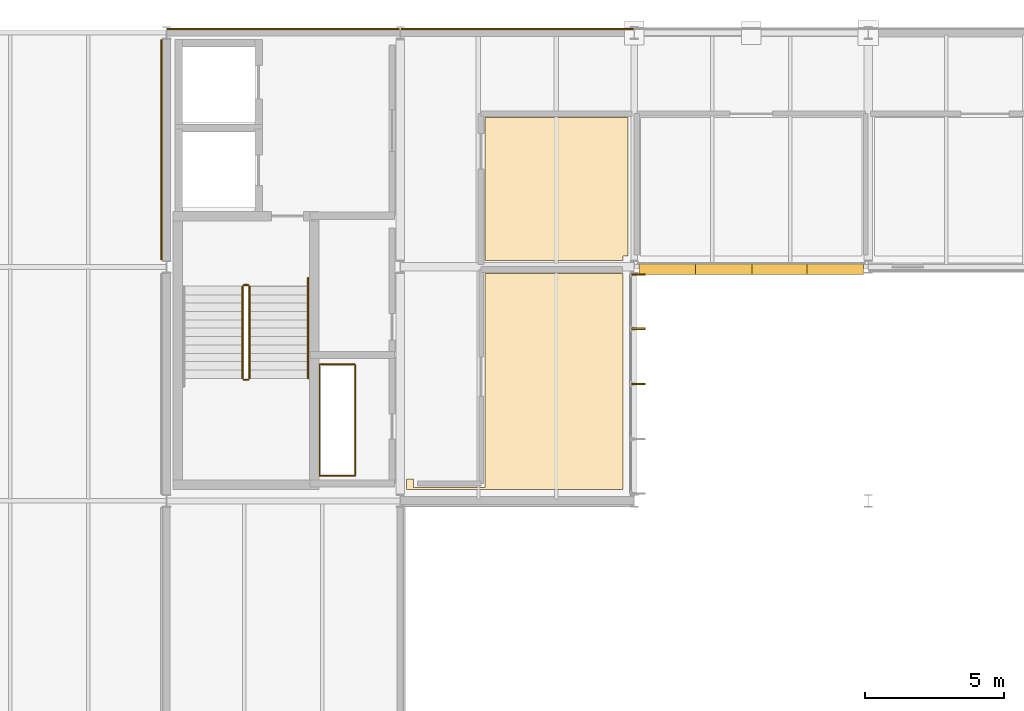
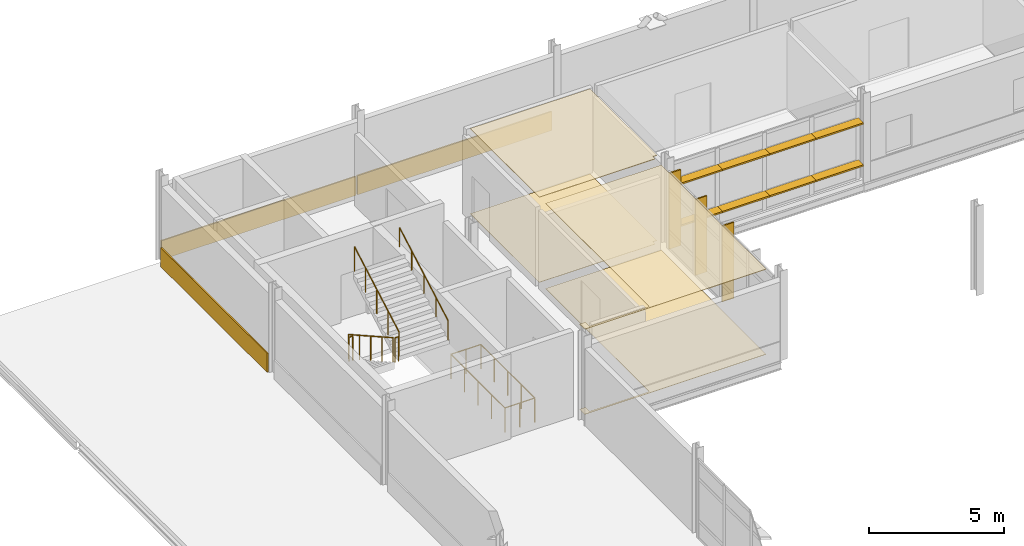
# One storey, part 122 of 131: 11 shading devices, 7 coverings, 6 railings.
"""IFC4 building model written with IfcOpenShell, lengths in metres."""

from ifc_helpers import new_model, si_unit, direction, frame, origin, origin_2d, place, context, subcontext, project, spatial, polyline, rectangle, circle, outline, extrude, material, layer, layer_set, type_object, element, save


model = new_model("IFC4")

# Units and contexts
model_context = context("Model", 3, precision=1e-05, world=origin(), true_north=direction((0.0, 1.0)))
body_context = subcontext(model_context, "Body", "Model", "MODEL_VIEW")
ifc_project = project(units=[si_unit("LENGTHUNIT", "METRE"), si_unit("AREAUNIT", "SQUARE_METRE"), si_unit("VOLUMEUNIT", "CUBIC_METRE"), si_unit("PLANEANGLEUNIT", "RADIAN"), si_unit("MASSUNIT", "GRAM", prefix="KILO")], contexts=[model_context])

# Site, building, storey
site_placement = place(None, origin())
site = spatial("IfcSite", under=ifc_project, at=site_placement, CompositionType="ELEMENT")
building_placement = place(site_placement, origin())
building = spatial("IfcBuilding", under=site, at=building_placement, Name="Mersafa Astral City Hall", CompositionType="ELEMENT")
storey_placement = place(building_placement, frame((0.0, 0.0, 13.949951171875)))
storey = spatial("IfcBuildingStorey", under=building, at=storey_placement, Name="L03", CompositionType="ELEMENT", Elevation=13.949951171875)

# Coverings
ifc_material_1 = material(Name="Cairo Mokattam buff limestone cladding", Category="masonry")
ifc_layer_1 = layer(ifc_material_1, 0.06005859375, Name="Cairo Mokattam buff limestone cladding")
ifc_layer_set_1 = layer_set([ifc_layer_1], Name="Cairo Mokattam buff limestone cladding — ENV-COV-LIMESTONE-60")
covering_type_1 = type_object("IfcCoveringType", Name="ENV-COV-LIMESTONE-60", PredefinedType="CLADDING", material=ifc_layer_set_1)
for number, where, z_axis, x_axis, name in (
    (1, (54.60009765625, 126.14697265625, 0.0), (0.0, 0.0, 1.0), (-1.0, 0.0, 0.0), "L03 Cairo buff limestone rainscreen cladding 248"),
    (2, (46.199951171875, 126.139404296875, 0.0), (0.0, 0.0, 1.0), (-1.0, 0.0, 0.0), "L03 Cairo buff limestone rainscreen cladding 249"),
):
    element("IfcCovering", number, at=place(storey_placement, frame(where, z_axis=z_axis, x_axis=x_axis)), inside=storey, type_object=covering_type_1, Name=name, PredefinedType="CLADDING", context=body_context, shape_type="SweptSolid", body=[
        extrude(rectangle(XDim=8.323974609375, YDim=0.06005859375, at=origin_2d()), origin(), (0.0, 0.0, 1.0), 0.860107421875),
    ])
covering_1_placement = place(storey_placement, frame((41.822998046875, 121.800048828125, 0.0), z_axis=(0.0, 0.0, 1.0), x_axis=(0.0, -1.0, 0.0)))
element("IfcCovering", 3, at=covering_1_placement, inside=storey, type_object=covering_type_1, Name="L03 Cairo buff limestone rainscreen cladding 250", PredefinedType="CLADDING", context=body_context, shape_type="SweptSolid", body=[
    extrude(rectangle(XDim=7.89794921875, YDim=0.06005859375, at=origin_2d()), origin(), (0.0, 0.0, 1.0), 0.860107421875),
])

# Shading devices
ifc_material_2 = material(Name="Anodised bronze aluminium solar fin", Category="aluminium")
shading_device_type_1 = type_object("IfcShadingDeviceType", Name="ENV-SHD-FIN-500A", PredefinedType="USERDEFINED", material=ifc_material_2)
for number, where, z_axis, x_axis, name in (
    (4, (58.945068359375, 113.39990234375, -0.014892578125), (0.0, 0.0, 1.0), (0.0, 1.0, 0.0), "L03 Vertical bronze solar fin 1133"),
    (5, (58.945068359375, 115.381591796875, -0.014892578125), (0.0, 0.0, 1.0), (0.0, 1.0, 0.0), "L03 Vertical bronze solar fin 1134"),
    (6, (58.945068359375, 117.3330078125, -0.014892578125), (0.0, 0.0, 1.0), (0.0, 1.0, 0.0), "L03 Vertical bronze solar fin 1135"),
):
    element("IfcShadingDevice", number, at=place(storey_placement, frame(where, z_axis=z_axis, x_axis=x_axis)), inside=storey, type_object=shading_device_type_1, Name=name, ObjectType="FIN", PredefinedType="USERDEFINED", context=body_context, shape_type="SweptSolid", body=[
        extrude(rectangle(XDim=0.06005859375, YDim=0.5, at=origin_2d()), origin(), (0.0, 0.0, 1.0), 3.43701171875),
    ])
ifc_material_3 = material(Name="Kiln-dried cedar timber brise-soleil blade", Category="wood")
shading_device_type_2 = type_object("IfcShadingDeviceType", Name="ENV-SHD-LOUVRE-380", PredefinedType="JALOUSIE", material=ifc_material_3)
shading_device_1_placement = place(storey_placement, frame((59.986572265625, 117.52001953125, 0.81494140625), z_axis=(0.0, 0.0, 1.0), x_axis=(1.0, 0.0, 0.0)))
element("IfcShadingDevice", 7, at=shading_device_1_placement, inside=storey, type_object=shading_device_type_2, Name="L03 Horizontal cedar brise-soleil louvre 1136", PredefinedType="JALOUSIE", context=body_context, shape_type="SweptSolid", body=[
    extrude(rectangle(XDim=2.029052734375, YDim=0.3798828125, at=origin_2d()), origin(), (0.0, 0.0, 1.0), 0.070068359375),
])
for number, where, z_axis, x_axis, name in (
    (8, (61.990478515625, 117.52001953125, 0.81494140625), (0.0, 0.0, 1.0), (1.0, 0.0, 0.0), "L03 Horizontal cedar brise-soleil louvre 1137"),
    (9, (64.009521484375, 117.52001953125, 0.81494140625), (0.0, 0.0, 1.0), (1.0, 0.0, 0.0), "L03 Horizontal cedar brise-soleil louvre 1138"),
):
    element("IfcShadingDevice", number, at=place(storey_placement, frame(where, z_axis=z_axis, x_axis=x_axis)), inside=storey, type_object=shading_device_type_2, Name=name, PredefinedType="JALOUSIE", context=body_context, shape_type="SweptSolid", body=[
        extrude(rectangle(XDim=2.05908203125, YDim=0.3798828125, at=origin_2d()), origin(), (0.0, 0.0, 1.0), 0.070068359375),
    ])
for number, where, z_axis, x_axis, name in (
    (10, (66.013427734375, 117.52001953125, 0.81494140625), (0.0, 0.0, 1.0), (1.0, 0.0, 0.0), "L03 Horizontal cedar brise-soleil louvre 1139"),
    (11, (59.986572265625, 117.52001953125, 2.71484375), (0.0, 0.0, 1.0), (1.0, 0.0, 0.0), "L03 Horizontal cedar brise-soleil louvre 1140"),
):
    element("IfcShadingDevice", number, at=place(storey_placement, frame(where, z_axis=z_axis, x_axis=x_axis)), inside=storey, type_object=shading_device_type_2, Name=name, PredefinedType="JALOUSIE", context=body_context, shape_type="SweptSolid", body=[
        extrude(rectangle(XDim=2.029052734375, YDim=0.3798828125, at=origin_2d()), origin(), (0.0, 0.0, 1.0), 0.070068359375),
    ])
for number, where, z_axis, x_axis, name in (
    (12, (61.990478515625, 117.52001953125, 2.71484375), (0.0, 0.0, 1.0), (1.0, 0.0, 0.0), "L03 Horizontal cedar brise-soleil louvre 1141"),
    (13, (64.009521484375, 117.52001953125, 2.71484375), (0.0, 0.0, 1.0), (1.0, 0.0, 0.0), "L03 Horizontal cedar brise-soleil louvre 1142"),
):
    element("IfcShadingDevice", number, at=place(storey_placement, frame(where, z_axis=z_axis, x_axis=x_axis)), inside=storey, type_object=shading_device_type_2, Name=name, PredefinedType="JALOUSIE", context=body_context, shape_type="SweptSolid", body=[
        extrude(rectangle(XDim=2.05908203125, YDim=0.3798828125, at=origin_2d()), origin(), (0.0, 0.0, 1.0), 0.070068359375),
    ])
shading_device_2_placement = place(storey_placement, frame((66.013427734375, 117.52001953125, 2.71484375), z_axis=(0.0, 0.0, 1.0), x_axis=(1.0, 0.0, 0.0)))
element("IfcShadingDevice", 14, at=shading_device_2_placement, inside=storey, type_object=shading_device_type_2, Name="L03 Horizontal cedar brise-soleil louvre 1143", PredefinedType="JALOUSIE", context=body_context, shape_type="SweptSolid", body=[
    extrude(rectangle(XDim=2.029052734375, YDim=0.3798828125, at=origin_2d()), origin(), (0.0, 0.0, 1.0), 0.070068359375),
])

# Railings
ifc_material_4 = material(Name="Painted architectural steel stair guard balustrade", Category="steel")
railing_type_1 = type_object("IfcRailingType", Name="GUARD-RAIL", PredefinedType="BALUSTRADE", material=ifc_material_4)
railing_1_placement = place(storey_placement, frame((44.72998046875, 116.89990234375, 0.168701171875)))
element("IfcRailing", 15, at=railing_1_placement, inside=storey, type_object=railing_type_1, Name="L03 ST3 stair guard 1", PredefinedType="BALUSTRADE", context=body_context, shape_type="SweptSolid", body=[
    extrude(circle(Radius=0.02392578125, at=origin_2d()), frame((0.0, 0.0, 1.09619140625), z_axis=(0.0, -0.871541093455, 0.490322467789), x_axis=(1.0, 0.0, 0.0)), (0.0, 0.0, 1.0), 3.7861328125),
    extrude(circle(Radius=0.02099609375, at=origin_2d()), origin(), (0.0, 0.0, 1.0), 1.072021484375),
    extrude(circle(Radius=0.02099609375, at=origin_2d()), frame((0.0, -0.824951171875, 0.464111328125)), (0.0, 0.0, 1.0), 1.072021484375),
    extrude(circle(Radius=0.02099609375, at=origin_2d()), frame((0.0, -1.64990234375, 0.92822265625)), (0.0, 0.0, 1.0), 1.072021484375),
    extrude(circle(Radius=0.02099609375, at=origin_2d()), frame((0.0, -2.474853515625, 1.392333984375)), (0.0, 0.0, 1.0), 1.072021484375),
    extrude(circle(Radius=0.02099609375, at=origin_2d()), frame((0.0, -3.2998046875, 1.8564453125)), (0.0, 0.0, 1.0), 1.072021484375),
])
railing_2_placement = place(storey_placement, frame((44.780029296875, 113.550048828125, 2.025146484375)))
element("IfcRailing", 16, at=railing_2_placement, inside=storey, type_object=railing_type_1, Name="L03 ST3 stair guard 2", PredefinedType="BALUSTRADE", context=body_context, shape_type="SweptSolid", body=[
    extrude(circle(Radius=0.02392578125, at=origin_2d()), frame((0.0, 0.0, 1.09619140625), z_axis=(1.0, 0.0, 0.0), x_axis=(0.0, 1.0, 0.0)), (0.0, 0.0, 1.0), 0.159912109375),
    extrude(circle(Radius=0.02099609375, at=origin_2d()), origin(), (0.0, 0.0, 1.0), 1.072021484375),
    extrude(circle(Radius=0.02099609375, at=origin_2d()), frame((0.159912109375, 0.0, 0.0)), (0.0, 0.0, 1.0), 1.072021484375),
])
railing_3_placement = place(storey_placement, frame((44.989990234375, 113.60009765625, 2.19384765625)))
element("IfcRailing", 17, at=railing_3_placement, inside=storey, type_object=railing_type_1, Name="L03 ST3 stair guard 3", PredefinedType="BALUSTRADE", context=body_context, shape_type="SweptSolid", body=[
    extrude(circle(Radius=0.02392578125, at=origin_2d()), frame((0.0, 0.0, 1.09619140625), z_axis=(0.0, 0.871568648517, 0.490273485845), x_axis=(-1.0, 0.0, 0.0)), (0.0, 0.0, 1.0), 3.7861328125),
    extrude(circle(Radius=0.02099609375, at=origin_2d()), origin(), (0.0, 0.0, 1.0), 1.072021484375),
    extrude(circle(Radius=0.02099609375, at=origin_2d()), frame((0.0, 0.824951171875, 0.464111328125)), (0.0, 0.0, 1.0), 1.072021484375),
    extrude(circle(Radius=0.02099609375, at=origin_2d()), frame((0.0, 1.64990234375, 0.92822265625)), (0.0, 0.0, 1.0), 1.072021484375),
    extrude(circle(Radius=0.02099609375, at=origin_2d()), frame((0.0, 2.474853515625, 1.39208984375)), (0.0, 0.0, 1.0), 1.072021484375),
    extrude(circle(Radius=0.02099609375, at=origin_2d()), frame((0.0, 3.2998046875, 1.856201171875)), (0.0, 0.0, 1.0), 1.072021484375),
])
railing_4_placement = place(storey_placement, frame((44.780029296875, 116.949951171875, 0.0)))
element("IfcRailing", 18, at=railing_4_placement, inside=storey, type_object=railing_type_1, Name="L03 ST3 stair guard 4", PredefinedType="BALUSTRADE", context=body_context, shape_type="SweptSolid", body=[
    extrude(circle(Radius=0.02392578125, at=origin_2d()), frame((0.0, 0.0, 1.09619140625), z_axis=(1.0, 0.0, 0.0), x_axis=(0.0, 1.0, 0.0)), (0.0, 0.0, 1.0), 0.159912109375),
    extrude(circle(Radius=0.02099609375, at=origin_2d()), origin(), (0.0, 0.0, 1.0), 1.072021484375),
    extrude(circle(Radius=0.02099609375, at=origin_2d()), frame((0.159912109375, 0.0, 0.0)), (0.0, 0.0, 1.0), 1.072021484375),
])
railing_5_placement = place(storey_placement, frame((47.5, 110.10009765625, 0.0)))
element("IfcRailing", 19, at=railing_5_placement, inside=storey, type_object=railing_type_1, Name="L03 K3 MEP Riser Shaft Guard", PredefinedType="BALUSTRADE", context=body_context, shape_type="SweptSolid", body=[
    extrude(circle(Radius=0.02392578125, at=origin_2d()), frame((0.0, 0.0, 1.09619140625), z_axis=(1.0, 0.0, 0.0), x_axis=(0.0, 1.0, 0.0)), (0.0, 0.0, 1.0), 1.280029296875),
    extrude(circle(Radius=0.02392578125, at=origin_2d()), frame((1.280029296875, 0.0, 1.09619140625), z_axis=(0.0, 1.0, 0.0), x_axis=(-1.0, 0.0, 0.0)), (0.0, 0.0, 1.0), 4.0),
    extrude(circle(Radius=0.02392578125, at=origin_2d()), frame((1.280029296875, 4.0, 1.09619140625), z_axis=(-1.0, 0.0, 0.0), x_axis=(0.0, -1.0, 0.0)), (0.0, 0.0, 1.0), 1.280029296875),
    extrude(circle(Radius=0.02392578125, at=origin_2d()), frame((0.0, 4.0, 1.09619140625), z_axis=(0.0, -1.0, 0.0), x_axis=(1.0, 0.0, 0.0)), (0.0, 0.0, 1.0), 4.0),
    extrude(circle(Radius=0.02099609375, at=origin_2d()), origin(), (0.0, 0.0, 1.0), 1.072021484375),
    extrude(circle(Radius=0.02099609375, at=origin_2d()), frame((0.64013671875, 0.0, 0.0)), (0.0, 0.0, 1.0), 1.072021484375),
    extrude(circle(Radius=0.02099609375, at=origin_2d()), frame((1.280029296875, 0.0, 0.0)), (0.0, 0.0, 1.0), 1.072021484375),
    extrude(circle(Radius=0.02099609375, at=origin_2d()), frame((1.280029296875, 1.0, 0.0)), (0.0, 0.0, 1.0), 1.072021484375),
    extrude(circle(Radius=0.02099609375, at=origin_2d()), frame((1.280029296875, 2.0, 0.0)), (0.0, 0.0, 1.0), 1.072021484375),
    extrude(circle(Radius=0.02099609375, at=origin_2d()), frame((1.280029296875, 3.0, 0.0)), (0.0, 0.0, 1.0), 1.072021484375),
    extrude(circle(Radius=0.02099609375, at=origin_2d()), frame((1.280029296875, 4.0, 0.0)), (0.0, 0.0, 1.0), 1.072021484375),
    extrude(circle(Radius=0.02099609375, at=origin_2d()), frame((0.64013671875, 4.0, 0.0)), (0.0, 0.0, 1.0), 1.072021484375),
    extrude(circle(Radius=0.02099609375, at=origin_2d()), frame((0.0, 4.0, 0.0)), (0.0, 0.0, 1.0), 1.072021484375),
    extrude(circle(Radius=0.02099609375, at=origin_2d()), frame((0.0, 3.0, 0.0)), (0.0, 0.0, 1.0), 1.072021484375),
    extrude(circle(Radius=0.02099609375, at=origin_2d()), frame((0.0, 2.0, 0.0)), (0.0, 0.0, 1.0), 1.072021484375),
    extrude(circle(Radius=0.02099609375, at=origin_2d()), frame((0.0, 1.0, 0.0)), (0.0, 0.0, 1.0), 1.072021484375),
])
ifc_material_5 = material(Name="Brushed stainless steel tubular handrail", Category="steel")
railing_type_2 = type_object("IfcRailingType", Name="HANDRAIL", PredefinedType="HANDRAIL", material=ifc_material_5)
railing_6_placement = place(storey_placement, frame((47.090087890625, 113.60009765625, 2.19384765625)))
element("IfcRailing", 20, at=railing_6_placement, inside=storey, type_object=railing_type_2, Name="L03 ST3 stair handrail 2", PredefinedType="HANDRAIL", context=body_context, shape_type="SweptSolid", body=[
    extrude(circle(Radius=0.02392578125, at=origin_2d()), frame((0.0, 0.0, 0.8759765625), z_axis=(0.0, 0.871273963605, 0.490796984856), x_axis=(-1.0, 0.0, 0.0)), (0.0, 0.0, 1.0), 4.131591796875),
    extrude(circle(Radius=0.02099609375, at=origin_2d()), origin(), (0.0, 0.0, 1.0), 0.851806640625),
    extrude(circle(Radius=0.02099609375, at=origin_2d()), frame((0.0, 0.89990234375, 0.5068359375)), (0.0, 0.0, 1.0), 0.851806640625),
    extrude(circle(Radius=0.02099609375, at=origin_2d()), frame((0.0, 1.7998046875, 1.013916015625)), (0.0, 0.0, 1.0), 0.851806640625),
    extrude(circle(Radius=0.02099609375, at=origin_2d()), frame((0.0, 2.699951171875, 1.52099609375)), (0.0, 0.0, 1.0), 0.851806640625),
    extrude(circle(Radius=0.02099609375, at=origin_2d()), frame((0.0, 3.599853515625, 2.02783203125)), (0.0, 0.0, 1.0), 0.851806640625),
])

# Coverings
ifc_material_6 = material(Name="Perforated acoustic gypsum board ceiling", Category="gypsum")
ifc_layer_2 = layer(ifc_material_6, 0.02490234375, Name="Perforated acoustic gypsum board ceiling")
ifc_layer_set_2 = layer_set([ifc_layer_2], Name="Perforated acoustic gypsum board ceiling — INT-COV-CEIL-25")
covering_type_2 = type_object("IfcCoveringType", Name="INT-COV-CEIL-25", PredefinedType="CEILING", material=ifc_layer_set_2)
covering_2_placement = place(storey_placement, frame((0.0, 0.0, 3.845947265625)))
element("IfcCovering", 21, at=covering_2_placement, inside=storey, type_object=covering_type_2, Name="L03 Standing Committee Room L03-14 acoustic ceiling", PredefinedType="CEILING", context=body_context, shape_type="SweptSolid", body=[
    extrude(outline(polyline([(50.6298828125, 109.97998046875), (50.8798828125, 109.97998046875), (50.8798828125, 109.679931640625), (53.43994140625, 109.679931640625), (53.43994140625, 117.3701171875), (58.39990234375, 117.3701171875), (58.39990234375, 109.60009765625), (50.6298828125, 109.60009765625), (50.6298828125, 109.97998046875)])), origin(), (0.0, 0.0, 1.0), 0.025146484375),
])
covering_3_placement = place(storey_placement, frame((0.0, 0.0, 3.845947265625)))
element("IfcCovering", 22, at=covering_3_placement, inside=storey, type_object=covering_type_2, Name="L03 Municipal Finance & Treasury Office L03-31 acoustic ceiling", PredefinedType="CEILING", context=body_context, shape_type="SweptSolid", body=[
    extrude(outline(polyline([(53.43994140625, 117.830078125), (53.43994140625, 122.9599609375), (58.570068359375, 122.9599609375), (58.570068359375, 118.0), (58.39990234375, 118.0), (58.39990234375, 117.830078125), (53.43994140625, 117.830078125)])), origin(), (0.0, 0.0, 1.0), 0.025146484375),
])
ifc_material_7 = material(Name="Heavy-duty woven acoustic carpet tile", Category="finish")
ifc_layer_3 = layer(ifc_material_7, 0.014892578125, Name="Heavy-duty woven acoustic carpet tile")
ifc_layer_set_3 = layer_set([ifc_layer_3], Name="Heavy-duty woven acoustic carpet tile — INT-COV-FLR-15")
covering_type_3 = type_object("IfcCoveringType", Name="INT-COV-FLR-15", PredefinedType="FLOORING", material=ifc_layer_set_3)
covering_4_placement = place(storey_placement, frame((0.0, 0.0, -0.00146484375)))
element("IfcCovering", 23, at=covering_4_placement, inside=storey, type_object=covering_type_3, Name="L03 Standing Committee Room L03-14 architectural flooring", PredefinedType="FLOORING", context=body_context, shape_type="SweptSolid", body=[
    extrude(outline(polyline([(50.6298828125, 109.97998046875), (50.8798828125, 109.97998046875), (50.8798828125, 109.679931640625), (53.43994140625, 109.679931640625), (53.43994140625, 117.3701171875), (58.39990234375, 117.3701171875), (58.39990234375, 109.60009765625), (50.6298828125, 109.60009765625), (50.6298828125, 109.97998046875)])), origin(), (0.0, 0.0, 1.0), 0.014892578125),
])
covering_5_placement = place(storey_placement, frame((0.0, 0.0, -0.00146484375)))
element("IfcCovering", 24, at=covering_5_placement, inside=storey, type_object=covering_type_3, Name="L03 Municipal Finance & Treasury Office L03-31 architectural flooring", PredefinedType="FLOORING", context=body_context, shape_type="SweptSolid", body=[
    extrude(outline(polyline([(53.43994140625, 117.830078125), (53.43994140625, 122.9599609375), (58.570068359375, 122.9599609375), (58.570068359375, 118.0), (58.39990234375, 118.0), (58.39990234375, 117.830078125), (53.43994140625, 117.830078125)])), origin(), (0.0, 0.0, 1.0), 0.014892578125),
])

save(model, "model.ifc")
